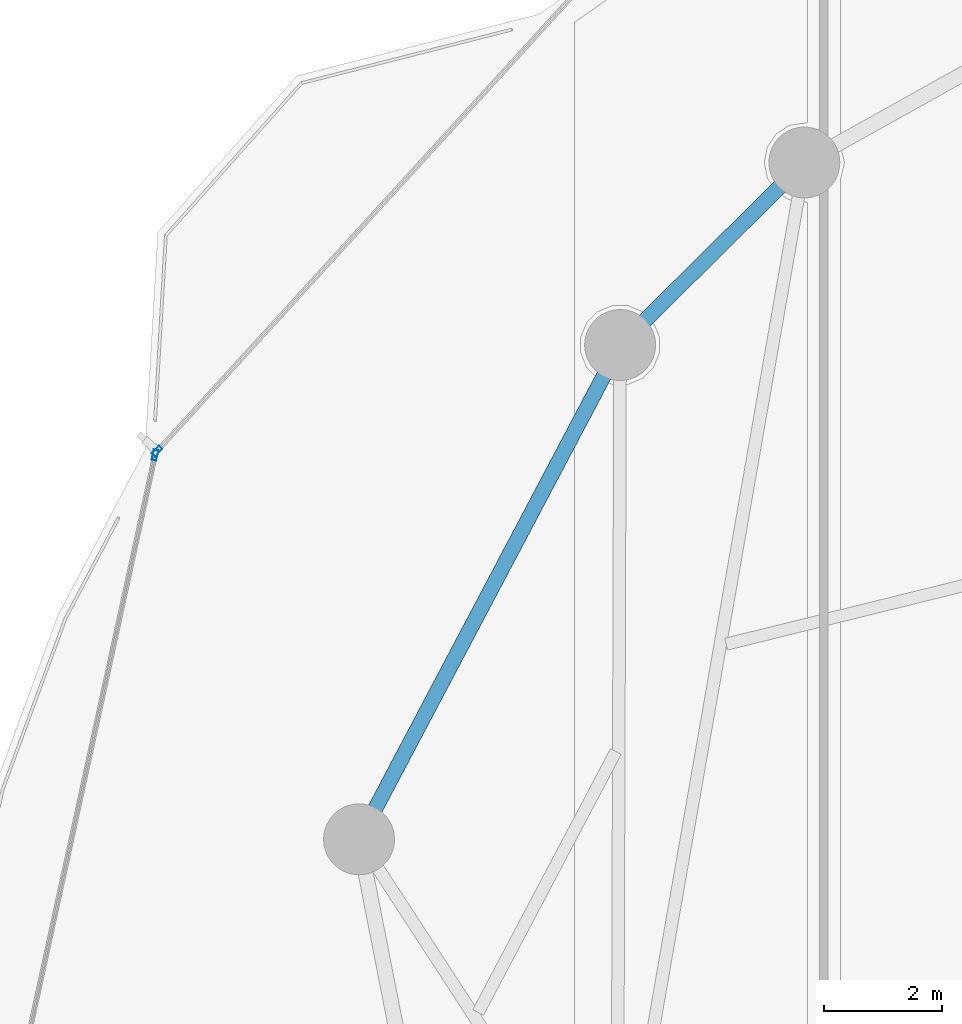
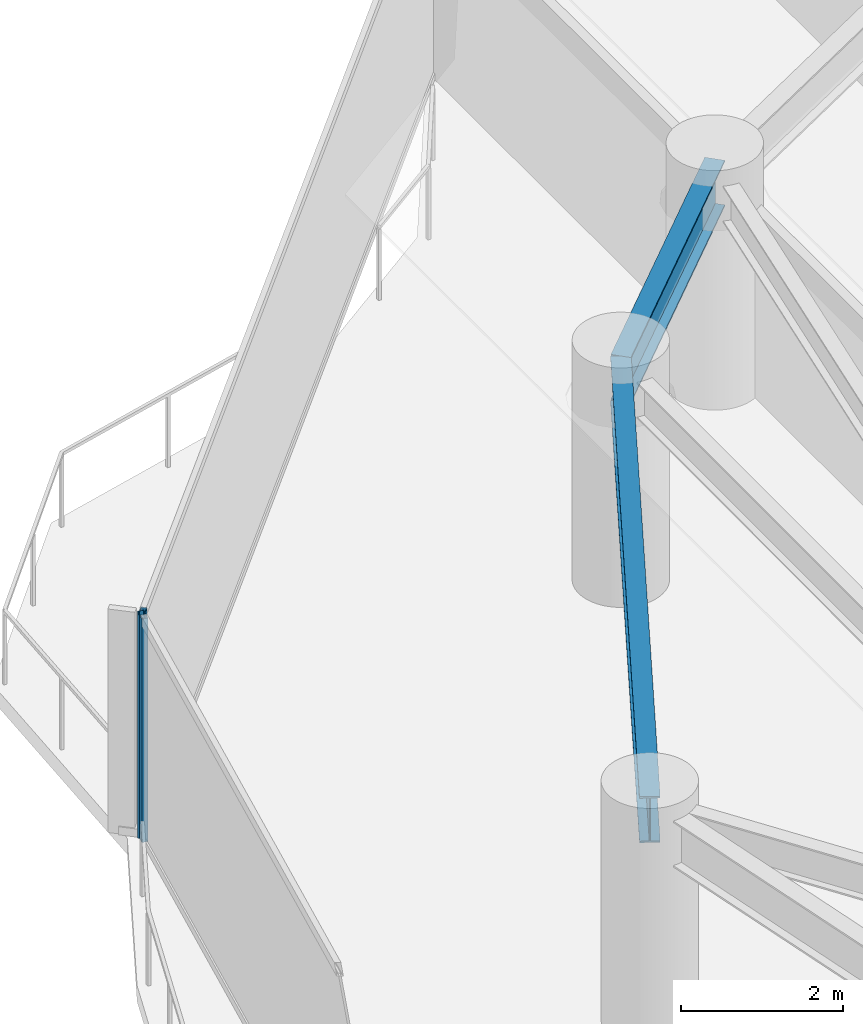
# One storey, part 17 of 34: 2 beams, 2 members, 2 elements without a shape of their own.
"""IFC4 building model written with IfcOpenShell, lengths in metres."""

from ifc_helpers import new_model, si_unit, direction, frame, origin, origin_2d, place, context, subcontext, project, spatial, hollow_rectangle, i_section, extrude, material, layer, layer_set, material_profile, profile_set, type_object, element, aggregate, save


model = new_model("IFC4")

# Units and contexts
model_context = context("Model", 3, precision=1e-05, world=origin(), true_north=direction((0.0, 1.0)))
body_context = subcontext(model_context, "Body", "Model", "MODEL_VIEW")
ifc_project = project(units=[si_unit("LENGTHUNIT", "METRE"), si_unit("AREAUNIT", "SQUARE_METRE"), si_unit("VOLUMEUNIT", "CUBIC_METRE"), si_unit("PLANEANGLEUNIT", "RADIAN"), si_unit("MASSUNIT", "GRAM", prefix="KILO")], contexts=[model_context])

# Site, building, storey
site_placement = place(None, origin())
site = spatial("IfcSite", under=ifc_project, at=site_placement, CompositionType="ELEMENT")
building_placement = place(site_placement, origin())
building = spatial("IfcBuilding", under=site, at=building_placement, Name="Kazevale Care Tower and Concert Hall", CompositionType="ELEMENT")
storey_placement = place(building_placement, frame((0.0, 0.0, 174.60009765625)))
storey = spatial("IfcBuildingStorey", under=building, at=storey_placement, Name="L46", CompositionType="ELEMENT", Elevation=174.60009765625)

# Curtain wall, member
ifc_material_1 = material(Name="Aluminium 6063-T6 and Low-E Glass", Category="aluminium")
ifc_layer_1 = layer(ifc_material_1, 0.179931640625)
ifc_layer_set_1 = layer_set([ifc_layer_1], Name="Aluminium 6063-T6 and Low-E Glass")
curtain_wall_type_1 = type_object("IfcCurtainWallType", Name="Convex Checkerboard Finned Curtain Wall CW-2", PredefinedType="NOTDEFINED", material=ifc_layer_set_1)
curtain_wall_1_placement = place(storey_placement, origin())
curtain_wall_1 = element("IfcCurtainWall", 1, at=curtain_wall_1_placement, inside=storey, type_object=curtain_wall_type_1, Name="cw:L46:f14", PredefinedType="NOTDEFINED")
ifc_material_2 = material(Name="Aluminium 6063-T6", Category="aluminium")
ifc_material_profile_1 = material_profile(ifc_material_2, hollow_rectangle(XDim=0.080078125, YDim=0.179931640625, WallThickness=0.0048828125, at=origin_2d()), Name="ALU80x180x5")
ifc_profile_set_1 = profile_set([ifc_material_profile_1], Name="Aluminium 6063-T6")
member_type_1 = type_object("IfcMemberType", Name="CW-2 Mullion ALU80x180x5", PredefinedType="MULLION", material=ifc_profile_set_1)
member_1_placement = place(storey_placement, frame((14.2109375, 49.694580078125, 0.0), z_axis=(0.0, 0.0, 1.0), x_axis=(-0.738491785899, 0.674262472751, 0.0)))
member_1 = element("IfcMember", 2, at=member_1_placement, type_object=member_type_1, Name="CW-2 mullion 1", PredefinedType="MULLION", context=body_context, shape_type="SweptSolid", body=[
    extrude(hollow_rectangle(XDim=0.080078125, YDim=0.179931640625, WallThickness=0.0048828125, at=origin_2d()), origin(), (0.0, 0.0, 1.0), 3.35986328125),
])
aggregate(curtain_wall_1, [member_1])

ifc_layer_2 = layer(ifc_material_1, 0.179931640625)
ifc_layer_set_2 = layer_set([ifc_layer_2], Name="Aluminium 6063-T6 and Low-E Glass")
curtain_wall_type_2 = type_object("IfcCurtainWallType", Name="Waist & Upper Residential Curtain Wall CW-4", PredefinedType="NOTDEFINED", material=ifc_layer_set_2)
curtain_wall_2_placement = place(storey_placement, origin())
curtain_wall_2 = element("IfcCurtainWall", 3, at=curtain_wall_2_placement, inside=storey, type_object=curtain_wall_type_2, Name="cw:L46:f13", PredefinedType="NOTDEFINED")
ifc_material_profile_2 = material_profile(ifc_material_2, hollow_rectangle(XDim=0.080078125, YDim=0.179931640625, WallThickness=0.0048828125, at=origin_2d()), Name="ALU80x180x5")
ifc_profile_set_2 = profile_set([ifc_material_profile_2], Name="Aluminium 6063-T6")
member_type_2 = type_object("IfcMemberType", Name="CW-4 Mullion ALU80x180x5", PredefinedType="MULLION", material=ifc_profile_set_2)
member_2_placement = place(storey_placement, frame((14.175537109375, 49.6259765625, 0.0), z_axis=(0.0, 0.0, 1.0), x_axis=(-0.977090755849, 0.21282305992, 0.0)))
member_2 = element("IfcMember", 4, at=member_2_placement, type_object=member_type_2, Name="CW-4 mullion 2", PredefinedType="MULLION", context=body_context, shape_type="SweptSolid", body=[
    extrude(hollow_rectangle(XDim=0.080078125, YDim=0.179931640625, WallThickness=0.0048828125, at=origin_2d()), origin(), (0.0, 0.0, 1.0), 3.35986328125),
])
aggregate(curtain_wall_2, [member_2])

# Beams
ifc_material_3 = material(Name="Steel ASTM A572 Gr 50", Category="steel")
ifc_material_profile_3 = material_profile(ifc_material_3, i_section(OverallWidth=0.256103515625, OverallDepth=0.693115234375, WebThickness=0.014404296875, FlangeThickness=0.023681640625, at=origin_2d()), Name="W690x170")
ifc_profile_set_3 = profile_set([ifc_material_profile_3], Name="Steel ASTM A572 Gr 50")
beam_type = type_object("IfcBeamType", Name="Waist Ring Beam W690x170", PredefinedType="BEAM", material=ifc_profile_set_3)
beam_1_placement = place(storey_placement, frame((25.169921875, 54.580078125, 3.013427734375), z_axis=(-0.710490141585, -0.703707154085, 0.0), x_axis=(0.703707154085, -0.710490141585, 0.0)))
element("IfcBeam", 5, at=beam_1_placement, inside=storey, type_object=beam_type, Name="beam:L46:ring:07", PredefinedType="BEAM", context=body_context, shape_type="SweptSolid", body=[
    extrude(i_section(OverallWidth=0.256103515625, OverallDepth=0.693115234375, WebThickness=0.014404296875, FlangeThickness=0.023681640625, at=origin_2d()), origin(), (0.0, 0.0, 1.0), 4.39111328125),
])
beam_2_placement = place(storey_placement, frame((22.050048828125, 51.489990234375, 3.013427734375), z_axis=(-0.466984438127, -0.884265533959, 0.0), x_axis=(0.884265533959, -0.466984438127, 0.0)))
element("IfcBeam", 6, at=beam_2_placement, inside=storey, type_object=beam_type, Name="beam:L46:ring:08", PredefinedType="BEAM", context=body_context, shape_type="SweptSolid", body=[
    extrude(i_section(OverallWidth=0.256103515625, OverallDepth=0.693115234375, WebThickness=0.014404296875, FlangeThickness=0.023681640625, at=origin_2d()), origin(), (0.0, 0.0, 1.0), 9.46533203125),
])

save(model, "model.ifc")
